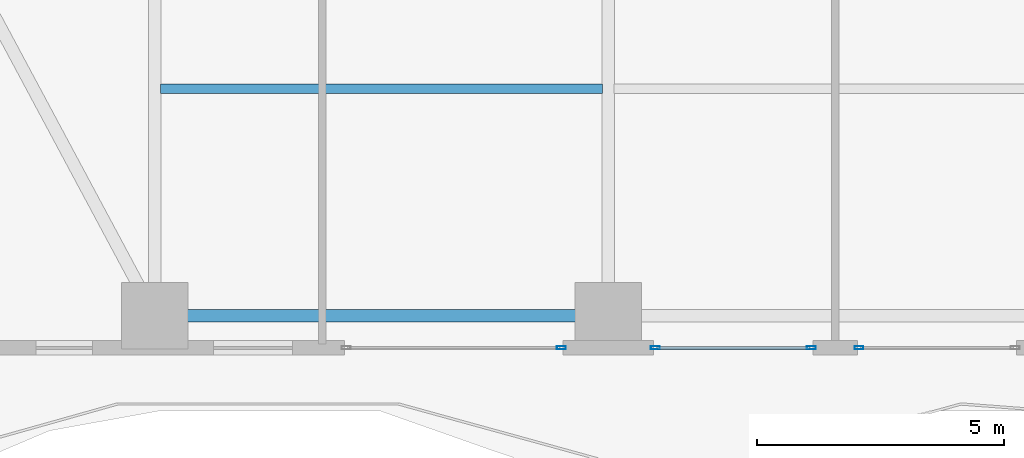
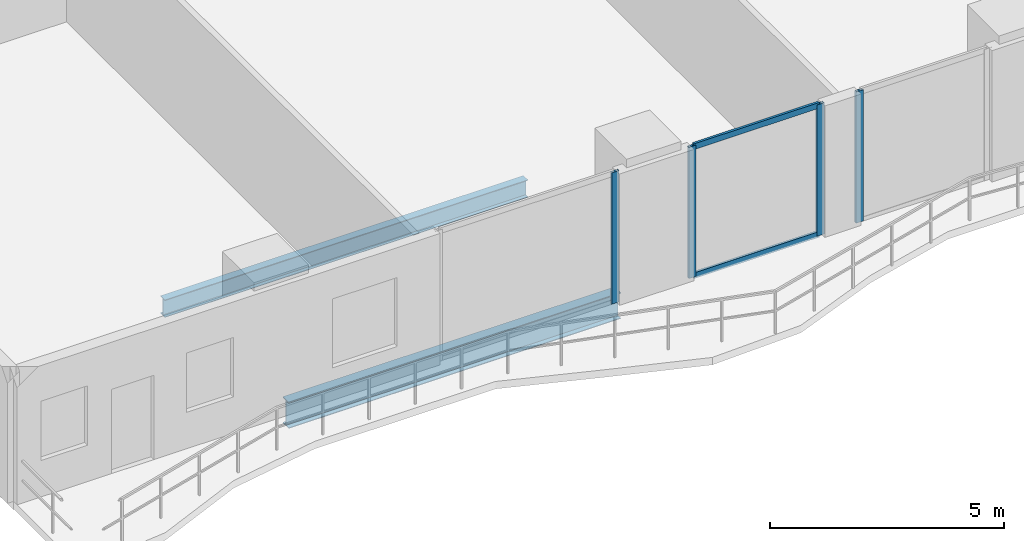
# One storey, part 4 of 30: 6 members, 2 beams, 3 elements without a shape of their own.
"""IFC4 building model written with IfcOpenShell, lengths in metres."""

from ifc_helpers import new_model, si_unit, direction, frame, origin, origin_2d, place, context, subcontext, project, spatial, hollow_rectangle, i_section, extrude, material, layer, layer_set, material_profile, profile_set, type_object, element, aggregate, save


model = new_model("IFC4")

# Units and contexts
model_context = context("Model", 3, precision=1e-05, world=origin(), true_north=direction((0.0, 1.0)))
body_context = subcontext(model_context, "Body", "Model", "MODEL_VIEW")
ifc_project = project(units=[si_unit("LENGTHUNIT", "METRE"), si_unit("AREAUNIT", "SQUARE_METRE"), si_unit("VOLUMEUNIT", "CUBIC_METRE"), si_unit("PLANEANGLEUNIT", "RADIAN"), si_unit("MASSUNIT", "GRAM", prefix="KILO")], contexts=[model_context])

# Site, building, storey
site_placement = place(None, origin())
site = spatial("IfcSite", under=ifc_project, at=site_placement, CompositionType="ELEMENT")
building_placement = place(site_placement, origin())
building = spatial("IfcBuilding", under=site, at=building_placement, Name="Zuhayl Quay Hotel", CompositionType="ELEMENT")
storey_placement = place(building_placement, frame((0.0, 0.0, 135.800048828125)))
storey = spatial("IfcBuildingStorey", under=building, at=storey_placement, Name="L34", CompositionType="ELEMENT", Elevation=135.800048828125)

# Beams
ifc_material_1 = material(Name="Steel ASTM A992 Grade 50", Category="steel")
ifc_material_profile_1 = material_profile(ifc_material_1, i_section(OverallWidth=0.25390625, OverallDepth=0.68310546875, WebThickness=0.012451171875, FlangeThickness=0.018798828125, at=origin_2d()), Name="W27X94")
ifc_profile_set_1 = profile_set([ifc_material_profile_1], Name="Steel ASTM A992 Grade 50")
beam_type_1 = type_object("IfcBeamType", Name="BM_B2_W27X94", PredefinedType="BEAM", material=ifc_profile_set_1)
beam_1_placement = place(storey_placement, frame((-13.300048828125, -14.75, -0.5615234375), z_axis=(1.0, 0.0, 0.0), x_axis=(0.0, 1.0, 0.0)))
element("IfcBeam", 1, at=beam_1_placement, inside=storey, type_object=beam_type_1, Name="L34 Floor Beam RG_L34_01", PredefinedType="BEAM", context=body_context, shape_type="SweptSolid", body=[
    extrude(i_section(OverallWidth=0.25390625, OverallDepth=0.68310546875, WebThickness=0.012451171875, FlangeThickness=0.018798828125, at=origin_2d()), origin(), (0.0, 0.0, 1.0), 8.199951171875),
])
ifc_material_profile_2 = material_profile(ifc_material_1, i_section(OverallWidth=0.18994140625, OverallDepth=0.45703125, WebThickness=0.009033203125, FlangeThickness=0.014404296875, at=origin_2d()), Name="W18X50")
ifc_profile_set_2 = profile_set([ifc_material_profile_2], Name="Steel ASTM A992 Grade 50")
beam_type_2 = type_object("IfcBeamType", Name="BM_J2_W18X50", PredefinedType="JOIST", material=ifc_profile_set_2)
beam_2_placement = place(storey_placement, frame((-13.680908203125, -10.14990234375, -0.448486328125), z_axis=(1.0, 0.0, 0.0), x_axis=(0.0, 1.0, 0.0)))
element("IfcBeam", 2, at=beam_2_placement, inside=storey, type_object=beam_type_2, Name="L34 Floor Beam FJ_L34_5_1", PredefinedType="JOIST", context=body_context, shape_type="SweptSolid", body=[
    extrude(i_section(OverallWidth=0.18994140625, OverallDepth=0.45703125, WebThickness=0.009033203125, FlangeThickness=0.014404296875, at=origin_2d()), origin(), (0.0, 0.0, 1.0), 8.9619140625),
])

# Curtain wall, member
ifc_material_2 = material(Name="Anodised Aluminium 6063-T6", Category="aluminium")
ifc_layer = layer(ifc_material_2, 0.179931640625, Name="Anodised Aluminium 6063-T6", Category="aluminium")
ifc_layer_set = layer_set([ifc_layer], Name="Anodised Aluminium 6063-T6")
curtain_wall_type = type_object("IfcCurtainWallType", Name="CW_SYS_Z2", PredefinedType="USERDEFINED", material=ifc_layer_set)
curtain_wall_1_placement = place(storey_placement, origin())
curtain_wall_1 = element("IfcCurtainWall", 3, at=curtain_wall_1_placement, inside=storey, type_object=curtain_wall_type, Name="L34 Curtain Wall ENV_L34_S_CW3", ObjectType="UNITISED CURTAIN WALL", PredefinedType="USERDEFINED")
ifc_material_3 = material(Name="Black-anodised aluminium 6063-T6", Category="aluminium")
ifc_material_profile_3 = material_profile(ifc_material_3, hollow_rectangle(XDim=0.06494140625, YDim=0.179931640625, WallThickness=0.00341796875, at=origin_2d()), Name="ALU180X65")
ifc_profile_set_3 = profile_set([ifc_material_profile_3], Name="Black-anodised aluminium 6063-T6")
member_type_1 = type_object("IfcMemberType", Name="MB_CW_MUL_180", PredefinedType="MULLION", material=ifc_profile_set_3)
member_1_placement = place(storey_placement, frame((0.482421875, -15.39990234375, 0.0), z_axis=(0.0, 0.0, 1.0), x_axis=(0.0, -1.0, 0.0)))
member_1 = element("IfcMember", 4, at=member_1_placement, type_object=member_type_1, Name="CW-Z2 mullion 2", PredefinedType="MULLION", context=body_context, shape_type="SweptSolid", body=[
    extrude(hollow_rectangle(XDim=0.06494140625, YDim=0.179931640625, WallThickness=0.00341796875, at=origin_2d()), origin(), (0.0, 0.0, 1.0), 3.429931640625),
])
aggregate(curtain_wall_1, [member_1])

# Curtain wall, members
curtain_wall_2_placement = place(storey_placement, origin())
curtain_wall_2 = element("IfcCurtainWall", 5, at=curtain_wall_2_placement, inside=storey, type_object=curtain_wall_type, Name="L34 Curtain Wall ENV_L34_S_CW4", ObjectType="UNITISED CURTAIN WALL", PredefinedType="USERDEFINED")
member_2_placement = place(storey_placement, frame((-0.482421875, -15.39990234375, 0.0), z_axis=(0.0, 0.0, 1.0), x_axis=(0.0, -1.0, 0.0)))
member_2 = element("IfcMember", 6, at=member_2_placement, type_object=member_type_1, Name="CW-Z2 mullion 1", PredefinedType="MULLION", context=body_context, shape_type="SweptSolid", body=[
    extrude(hollow_rectangle(XDim=0.06494140625, YDim=0.179931640625, WallThickness=0.00341796875, at=origin_2d()), origin(), (0.0, 0.0, 1.0), 3.429931640625),
])
member_3_placement = place(storey_placement, frame((-3.6474609375, -15.39990234375, 0.0), z_axis=(0.0, 0.0, 1.0), x_axis=(0.0, -1.0, 0.0)))
member_3 = element("IfcMember", 7, at=member_3_placement, type_object=member_type_1, Name="CW-Z2 mullion 2", PredefinedType="MULLION", context=body_context, shape_type="SweptSolid", body=[
    extrude(hollow_rectangle(XDim=0.06494140625, YDim=0.179931640625, WallThickness=0.00341796875, at=origin_2d()), origin(), (0.0, 0.0, 1.0), 3.429931640625),
])

# Curtain wall, member
curtain_wall_3_placement = place(storey_placement, origin())
curtain_wall_3 = element("IfcCurtainWall", 8, at=curtain_wall_3_placement, inside=storey, type_object=curtain_wall_type, Name="L34 Curtain Wall ENV_L34_S_CW5", ObjectType="UNITISED CURTAIN WALL", PredefinedType="USERDEFINED")
member_4_placement = place(storey_placement, frame((-5.552490234375, -15.39990234375, 0.0), z_axis=(0.0, 0.0, 1.0), x_axis=(0.0, -1.0, 0.0)))
member_4 = element("IfcMember", 9, at=member_4_placement, type_object=member_type_1, Name="CW-Z2 mullion 1", PredefinedType="MULLION", context=body_context, shape_type="SweptSolid", body=[
    extrude(hollow_rectangle(XDim=0.06494140625, YDim=0.179931640625, WallThickness=0.00341796875, at=origin_2d()), origin(), (0.0, 0.0, 1.0), 3.429931640625),
])
aggregate(curtain_wall_3, [member_4])

# Member
ifc_material_profile_4 = material_profile(ifc_material_3, hollow_rectangle(XDim=0.06005859375, YDim=0.14990234375, WallThickness=0.00341796875, at=origin_2d()), Name="ALU150X60")
ifc_profile_set_4 = profile_set([ifc_material_profile_4], Name="Black-anodised aluminium 6063-T6")
member_type_2 = type_object("IfcMemberType", Name="MB_CW_TRN_150", PredefinedType="USERDEFINED", material=ifc_profile_set_4)
member_5_placement = place(storey_placement, frame((-0.514892578125, -15.39990234375, 0.030029296875), z_axis=(-1.0, 0.0, 0.0), x_axis=(0.0, -1.0, 0.0)))
member_5 = element("IfcMember", 10, at=member_5_placement, type_object=member_type_2, Name="CW-Z2 transom 1.1", ObjectType="TRANSOM", PredefinedType="USERDEFINED", context=body_context, shape_type="SweptSolid", body=[
    extrude(hollow_rectangle(XDim=0.06005859375, YDim=0.14990234375, WallThickness=0.00341796875, at=origin_2d()), origin(), (0.0, 0.0, 1.0), 3.10009765625),
])

member_6_placement = place(storey_placement, frame((-0.514892578125, -15.39990234375, 3.39990234375), z_axis=(-1.0, 0.0, 0.0), x_axis=(0.0, -1.0, 0.0)))
member_6 = element("IfcMember", 11, at=member_6_placement, type_object=member_type_2, Name="CW-Z2 transom 1.2", ObjectType="TRANSOM", PredefinedType="USERDEFINED", context=body_context, shape_type="SweptSolid", body=[
    extrude(hollow_rectangle(XDim=0.06005859375, YDim=0.14990234375, WallThickness=0.00341796875, at=origin_2d()), origin(), (0.0, 0.0, 1.0), 3.10009765625),
])

aggregate(curtain_wall_2, [member_2, member_3, member_5, member_6])

save(model, "model.ifc")
